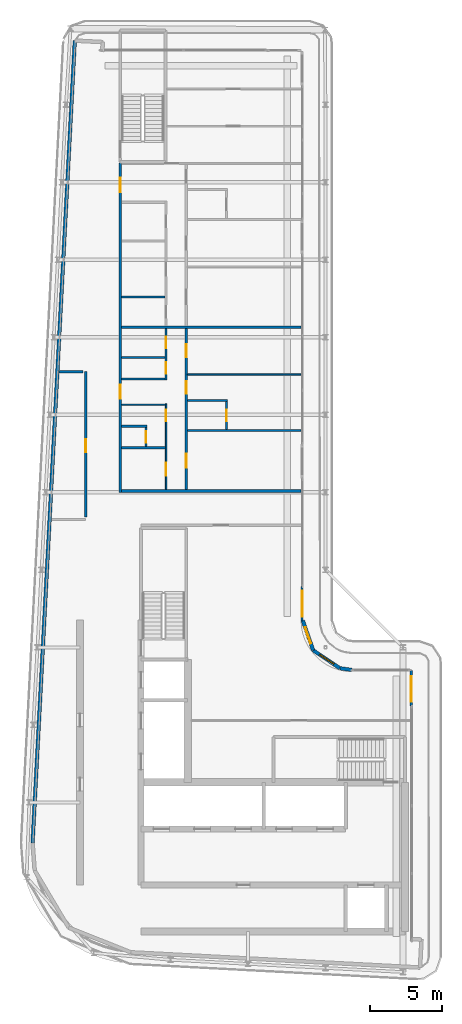
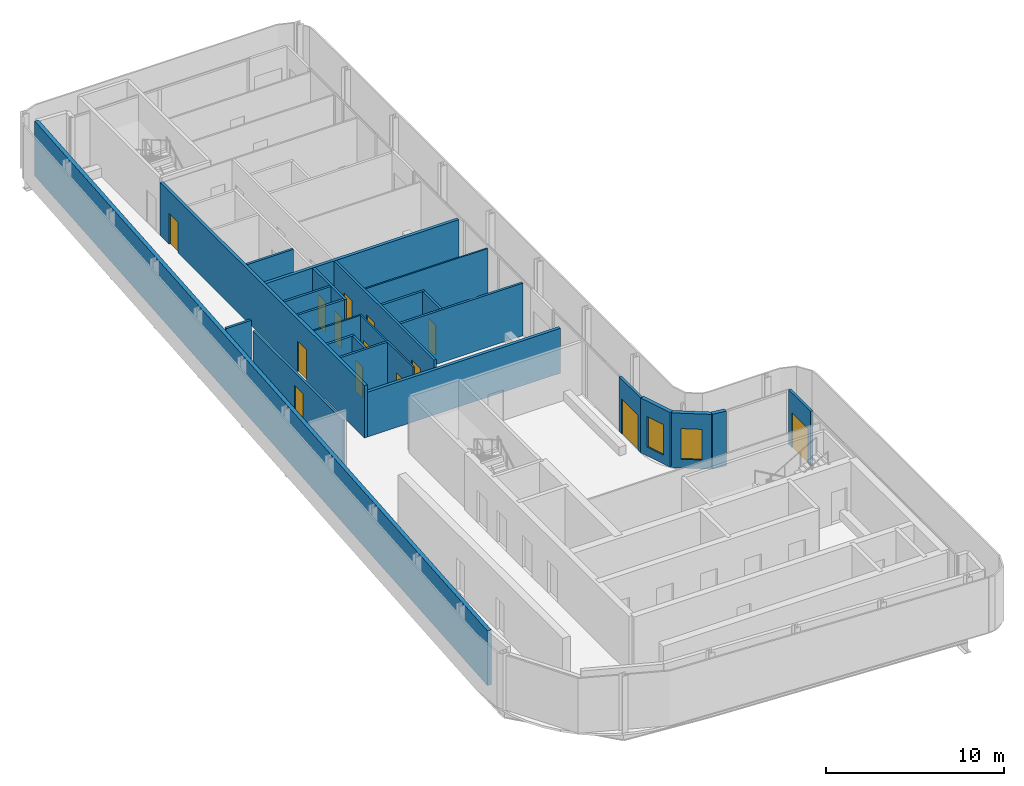
# One storey, part 10 of 17: 25 walls, 14 doors, 2 windows, 16 openings.
"""IFC4 building model written with IfcOpenShell, lengths in metres."""

from ifc_helpers import new_model, si_unit, direction, frame, frame_2d, origin, place, context, subcontext, project, spatial, rectangle, extrude, source, transform, mapped, material, layer, layer_set, type_object, element, fill, save


model = new_model("IFC4")

# Units and contexts
model_context = context("Model", 3, precision=1e-05, world=origin(), true_north=direction((0.0, 1.0)))
body_context = subcontext(model_context, "Body", "Model", "MODEL_VIEW")
ifc_project = project(units=[si_unit("LENGTHUNIT", "METRE"), si_unit("AREAUNIT", "SQUARE_METRE"), si_unit("VOLUMEUNIT", "CUBIC_METRE"), si_unit("PLANEANGLEUNIT", "RADIAN"), si_unit("MASSUNIT", "GRAM", prefix="KILO")], contexts=[model_context])

# Site, building, storey
site_placement = place(None, origin())
site = spatial("IfcSite", under=ifc_project, at=site_placement, CompositionType="ELEMENT")
building_placement = place(site_placement, origin())
building = spatial("IfcBuilding", under=site, at=building_placement, Name="Kheshtan School and Residences Tower", CompositionType="ELEMENT")
storey_placement = place(building_placement, frame((0.0, 0.0, 346.10009765625)))
storey = spatial("IfcBuildingStorey", under=building, at=storey_placement, Name="L81", CompositionType="ELEMENT", Elevation=346.10009765625)

# Wall, openings, doors
ifc_material_1 = material(Name="Gypsum board on steel studs with fire boards", Category="steel")
ifc_layer_1 = layer(ifc_material_1, 0.199951171875)
ifc_layer_set_1 = layer_set([ifc_layer_1], Name="Corridor wall 200")
wall_type_1 = type_object("IfcWallType", Name="Corridor wall 200", PredefinedType="PARTITIONING", material=ifc_layer_set_1)
wall_1_placement = place(storey_placement, frame((33.300048828125, 56.39990234375, 0.0), z_axis=(0.0, 0.0, 1.0), x_axis=(0.0, 1.0, 0.0)))
wall_1 = element("IfcWall", 1, at=wall_1_placement, inside=storey, type_object=wall_type_1, Name="Partition L81-001", PredefinedType="PARTITIONING", context=body_context, shape_type="SweptSolid", body=[
    extrude(rectangle(XDim=22.9501953125, YDim=0.199951171875, at=frame_2d((11.47509765625, 0.0))), origin(), (0.0, 0.0, 1.0), 3.599853515625),
])
opening_1_placement = place(wall_1_placement, frame((6.5, 0.0, 0.0)))
opening_1 = element("IfcOpeningElement", 2, at=opening_1_placement, cuts=wall_1, Name="Opening D81-004", PredefinedType="OPENING", context=body_context, shape_type="SweptSolid", body=[
    extrude(rectangle(XDim=1.0, YDim=2.10009765625, at=frame_2d((0.5, 1.050048828125))), frame((0.0, 0.10986328125, 0.0), z_axis=(0.0, -1.0, 0.0), x_axis=(1.0, 0.0, 0.0)), (0.0, 0.0, 1.0), 0.219970703125),
])
opening_2_placement = place(wall_1_placement, frame((20.89990234375, 0.0, 0.0)))
opening_2 = element("IfcOpeningElement", 3, at=opening_2_placement, cuts=wall_1, Name="Opening D81-014", PredefinedType="OPENING", context=body_context, shape_type="SweptSolid", body=[
    extrude(rectangle(XDim=1.0, YDim=2.10009765625, at=frame_2d((0.5, 1.050048828125))), frame((0.0, 0.10986328125, 0.0), z_axis=(0.0, -1.0, 0.0), x_axis=(1.0, 0.0, 0.0)), (0.0, 0.0, 1.0), 0.219970703125),
])
ifc_material_2 = material(Name="Steel-framed fire-resisting door leaf", Category="steel")
door_type_1 = type_object("IfcDoorType", Name="Fire door FD30S 1000 x 2100", OperationType="SINGLE_SWING_LEFT", PredefinedType="DOOR", material=ifc_material_2)
shared_shape_1 = source(origin(), body_context, "Body", "SweptSolid", [
    extrude(rectangle(XDim=1.0, YDim=2.10009765625, at=frame_2d((0.5, 1.050048828125))), frame((0.0, 0.02490234375, 0.0), z_axis=(0.0, -1.0, 0.0), x_axis=(1.0, 0.0, 0.0)), (0.0, 0.0, 1.0), 0.050048828125),
])
door_1_placement = place(opening_1_placement, origin())
door_1 = element("IfcDoor", 4, at=door_1_placement, inside=storey, type_object=door_type_1, Name="Door D81-004", OperationType="SINGLE_SWING_RIGHT", OverallHeight=2.10009765625, OverallWidth=1.0, PredefinedType="DOOR", context=body_context, shape_type="MappedRepresentation", body=[
    mapped(shared_shape_1, transform((0.0, 0.0, 0.0), x_axis=(1.0, 0.0, 0.0), y_axis=(0.0, 1.0, 0.0), z_axis=(0.0, 0.0, 1.0), scale=1.0)),
])
fill(opening_1, door_1)
door_2_placement = place(opening_2_placement, origin())
door_2 = element("IfcDoor", 5, at=door_2_placement, inside=storey, type_object=door_type_1, Name="Door D81-014", OperationType="SINGLE_SWING_RIGHT", OverallHeight=2.10009765625, OverallWidth=1.0, PredefinedType="DOOR", context=body_context, shape_type="MappedRepresentation", body=[
    mapped(shared_shape_1, transform((0.0, 0.0, 0.0), x_axis=(1.0, 0.0, 0.0), y_axis=(0.0, 1.0, 0.0), z_axis=(0.0, 0.0, 1.0), scale=1.0)),
])
fill(opening_2, door_2)

# Wall
wall_2_placement = place(storey_placement, frame((33.39990234375, 56.5, 0.0), z_axis=(0.0, 0.0, 1.0), x_axis=(1.0, 0.0, 0.0)))
element("IfcWall", 6, at=wall_2_placement, inside=storey, type_object=wall_type_1, Name="Partition L81-002", PredefinedType="PARTITIONING", context=body_context, shape_type="SweptSolid", body=[
    extrude(rectangle(XDim=12.5, YDim=0.199951171875, at=frame_2d((6.25, 0.0))), origin(), (0.0, 0.0, 1.0), 3.072021484375),
])

# Wall, opening, window
ifc_material_3 = material(Name="Concrete C40/50 with ceramic cladding and mineral wool insulation", Category="concrete")
ifc_layer_2 = layer(ifc_material_3, 0.25)
ifc_layer_set_2 = layer_set([ifc_layer_2], Name="External wall 250 ceramic clad")
wall_type_2 = type_object("IfcWallType", Name="External wall 250 ceramic clad", PredefinedType="SOLIDWALL", material=ifc_layer_set_2)
wall_3_placement = place(storey_placement, frame((46.01806640625, 47.470947265625, 0.0), z_axis=(0.0, 0.0, 1.0), x_axis=(0.328791208903, -0.944402637093, 0.0)))
wall_3 = element("IfcWall", 7, at=wall_3_placement, inside=storey, type_object=wall_type_2, Name="External wall L81 5", PredefinedType="SOLIDWALL", context=body_context, shape_type="SweptSolid", body=[
    extrude(rectangle(XDim=2.20458984375, YDim=0.25, at=frame_2d((1.102294921875, 0.0))), origin(), (0.0, 0.0, 1.0), 3.75),
])
opening_3_placement = place(wall_3_placement, frame((0.5029296875, 0.0, 0.60009765625)))
opening_3 = element("IfcOpeningElement", 8, at=opening_3_placement, cuts=wall_3, Name="Opening WN-E", PredefinedType="OPENING", context=body_context, shape_type="SweptSolid", body=[
    extrude(rectangle(XDim=1.199951171875, YDim=2.10009765625, at=frame_2d((0.60009765625, 1.050048828125))), frame((0.0, 0.135009765625, 0.0), z_axis=(0.0, -1.0, 0.0), x_axis=(1.0, 0.0, 0.0)), (0.0, 0.0, 1.0), 0.27001953125),
])
ifc_material_4 = material(Name="Clear low-e glass in thermally broken aluminium frame", Category="aluminium")
window_type = type_object("IfcWindowType", Name="Window WN-E", PartitioningType="SINGLE_PANEL", PredefinedType="WINDOW", material=ifc_material_4)
shared_shape_2 = source(origin(), body_context, "Body", "SweptSolid", [
    extrude(rectangle(XDim=1.199951171875, YDim=2.10009765625, at=frame_2d((0.60009765625, 1.050048828125))), frame((0.0, 0.030029296875, 0.0), z_axis=(0.0, -1.0, 0.0), x_axis=(1.0, 0.0, 0.0)), (0.0, 0.0, 1.0), 0.06005859375),
])
window_1_placement = place(opening_3_placement, origin())
window_1 = element("IfcWindow", 9, at=window_1_placement, inside=storey, type_object=window_type, Name="Window L81 5", OverallHeight=2.10009765625, OverallWidth=1.199951171875, PartitioningType="SINGLE_PANEL", PredefinedType="WINDOW", context=body_context, shape_type="MappedRepresentation", body=[
    mapped(shared_shape_2, transform((0.0, 0.0, 0.0), x_axis=(1.0, 0.0, 0.0), y_axis=(0.0, 1.0, 0.0), z_axis=(0.0, 0.0, 1.0), scale=1.0)),
])
fill(opening_3, window_1)

wall_4_placement = place(storey_placement, frame((46.742919921875, 45.388916015625, 0.0), z_axis=(0.0, 0.0, 1.0), x_axis=(0.831449265529, -0.555600682912, 0.0)))
wall_4 = element("IfcWall", 10, at=wall_4_placement, inside=storey, type_object=wall_type_2, Name="External wall L81 6", PredefinedType="SOLIDWALL", context=body_context, shape_type="SweptSolid", body=[
    extrude(rectangle(XDim=2.25146484375, YDim=0.25, at=frame_2d((1.125732421875, 0.0))), origin(), (0.0, 0.0, 1.0), 3.75),
])
opening_4_placement = place(wall_4_placement, frame((0.52490234375, 0.0, 0.60009765625)))
opening_4 = element("IfcOpeningElement", 11, at=opening_4_placement, cuts=wall_4, Name="Opening WN-E", PredefinedType="OPENING", context=body_context, shape_type="SweptSolid", body=[
    extrude(rectangle(XDim=1.199951171875, YDim=2.10009765625, at=frame_2d((0.60009765625, 1.050048828125))), frame((0.0, 0.135009765625, 0.0), z_axis=(0.0, -1.0, 0.0), x_axis=(1.0, 0.0, 0.0)), (0.0, 0.0, 1.0), 0.27001953125),
])
window_2_placement = place(opening_4_placement, origin())
window_2 = element("IfcWindow", 12, at=window_2_placement, inside=storey, type_object=window_type, Name="Window L81 6", OverallHeight=2.10009765625, OverallWidth=1.199951171875, PartitioningType="SINGLE_PANEL", PredefinedType="WINDOW", context=body_context, shape_type="MappedRepresentation", body=[
    mapped(shared_shape_2, transform((0.0, 0.0, 0.0), x_axis=(1.0, 0.0, 0.0), y_axis=(0.0, 1.0, 0.0), z_axis=(0.0, 0.0, 1.0), scale=1.0)),
])
fill(opening_4, window_2)

# Walls
wall_5_placement = place(storey_placement, frame((48.614990234375, 44.137939453125, 0.0), z_axis=(0.0, 0.0, 1.0), x_axis=(0.990741504246, -0.135761819977, 0.0)))
element("IfcWall", 13, at=wall_5_placement, inside=storey, type_object=wall_type_2, Name="External wall L81 7", PredefinedType="SOLIDWALL", context=body_context, shape_type="SweptSolid", body=[
    extrude(rectangle(XDim=0.83984375, YDim=0.25, at=frame_2d((0.419921875, 0.0))), origin(), (0.0, 0.0, 1.0), 3.75),
])
wall_6_placement = place(storey_placement, frame((27.195068359375, 31.968994140625, 0.0), z_axis=(0.0, 0.0, 1.0), x_axis=(0.052559748861, 0.998617781135, 0.0)))
element("IfcWall", 14, at=wall_6_placement, inside=storey, type_object=wall_type_2, Name="External wall L81 16", PredefinedType="SOLIDWALL", context=body_context, shape_type="SweptSolid", body=[
    extrude(rectangle(XDim=55.972412109375, YDim=0.25, at=frame_2d((27.986328125, 0.0))), origin(), (0.0, 0.0, 1.0), 3.75),
])

# Wall, opening, door
ifc_material_5 = material(Name="Aluminium frame wall with insulated infill", Category="aluminium")
ifc_layer_3 = layer(ifc_material_5, 0.14990234375)
ifc_layer_set_3 = layer_set([ifc_layer_3], Name="Glazing frame wall 150")
wall_type_3 = type_object("IfcWallType", Name="Glazing frame wall 150", PredefinedType="SOLIDWALL", material=ifc_layer_set_3)
wall_7_placement = place(storey_placement, frame((45.97509765625, 49.830078125, 0.0), z_axis=(0.0, 0.0, 1.0), x_axis=(0.0, -1.0, 0.0)))
wall_7 = element("IfcWall", 15, at=wall_7_placement, inside=storey, type_object=wall_type_3, Name="Balcony door wall L81 4.4", PredefinedType="SOLIDWALL", context=body_context, shape_type="SweptSolid", body=[
    extrude(rectangle(XDim=2.400146484375, YDim=0.14990234375, at=frame_2d((1.2001953125, 0.0))), origin(), (0.0, 0.0, 1.0), 3.75),
])
opening_5_placement = place(wall_7_placement, frame((0.300048828125, 0.0, 0.0)))
opening_5 = element("IfcOpeningElement", 16, at=opening_5_placement, cuts=wall_7, Name="Opening BD", PredefinedType="OPENING", context=body_context, shape_type="SweptSolid", body=[
    extrude(rectangle(XDim=1.800048828125, YDim=2.39990234375, at=frame_2d((0.89990234375, 1.199951171875))), frame((0.0, 0.0849609375, 0.0), z_axis=(0.0, -1.0, 0.0), x_axis=(1.0, 0.0, 0.0)), (0.0, 0.0, 1.0), 0.169921875),
])
door_type_2 = type_object("IfcDoorType", Name="Balcony sliding door", OperationType="SLIDING_TO_LEFT", PredefinedType="DOOR", material=ifc_material_4)
shared_shape_3 = source(origin(), body_context, "Body", "SweptSolid", [
    extrude(rectangle(XDim=1.800048828125, YDim=2.39990234375, at=frame_2d((0.89990234375, 1.199951171875))), frame((0.0, 0.02490234375, 0.0), z_axis=(0.0, -1.0, 0.0), x_axis=(1.0, 0.0, 0.0)), (0.0, 0.0, 1.0), 0.050048828125),
])
door_3_placement = place(opening_5_placement, origin())
door_3 = element("IfcDoor", 17, at=door_3_placement, inside=storey, type_object=door_type_2, Name="Balcony door L81 4.4", OperationType="SLIDING_TO_LEFT", OverallHeight=2.39990234375, OverallWidth=1.800048828125, PredefinedType="DOOR", context=body_context, shape_type="MappedRepresentation", body=[
    mapped(shared_shape_3, transform((0.0, 0.0, 0.0), x_axis=(1.0, 0.0, 0.0), y_axis=(0.0, 1.0, 0.0), z_axis=(0.0, 0.0, 1.0), scale=1.0)),
])
fill(opening_5, door_3)

wall_8_placement = place(storey_placement, frame((53.574951171875, 43.970947265625, 0.0), z_axis=(0.0, 0.0, 1.0), x_axis=(0.0, -1.0, 0.0)))
wall_8 = element("IfcWall", 18, at=wall_8_placement, inside=storey, type_object=wall_type_3, Name="Balcony door wall L81 9.1", PredefinedType="SOLIDWALL", context=body_context, shape_type="SweptSolid", body=[
    extrude(rectangle(XDim=2.470947265625, YDim=0.14990234375, at=frame_2d((1.2353515625, 0.0))), origin(), (0.0, 0.0, 1.0), 3.75),
])
opening_6_placement = place(wall_8_placement, frame((0.37109375, 0.0, 0.0)))
opening_6 = element("IfcOpeningElement", 19, at=opening_6_placement, cuts=wall_8, Name="Opening BD", PredefinedType="OPENING", context=body_context, shape_type="SweptSolid", body=[
    extrude(rectangle(XDim=1.800048828125, YDim=2.39990234375, at=frame_2d((0.89990234375, 1.199951171875))), frame((0.0, 0.0849609375, 0.0), z_axis=(0.0, -1.0, 0.0), x_axis=(1.0, 0.0, 0.0)), (0.0, 0.0, 1.0), 0.169921875),
])
door_4_placement = place(opening_6_placement, origin())
door_4 = element("IfcDoor", 20, at=door_4_placement, inside=storey, type_object=door_type_2, Name="Balcony door L81 9.1", OperationType="SLIDING_TO_LEFT", OverallHeight=2.39990234375, OverallWidth=1.800048828125, PredefinedType="DOOR", context=body_context, shape_type="MappedRepresentation", body=[
    mapped(shared_shape_3, transform((0.0, 0.0, 0.0), x_axis=(1.0, 0.0, 0.0), y_axis=(0.0, 1.0, 0.0), z_axis=(0.0, 0.0, 1.0), scale=1.0)),
])
fill(opening_6, door_4)

# Wall
ifc_material_6 = material(Name="Gypsum board on steel studs", Category="steel")
ifc_layer_4 = layer(ifc_material_6, 0.10009765625)
ifc_layer_set_4 = layer_set([ifc_layer_4], Name="Gypsum partition 100")
wall_type_4 = type_object("IfcWallType", Name="Gypsum partition 100", PredefinedType="PARTITIONING", material=ifc_layer_set_4)
wall_9_placement = place(storey_placement, frame((33.39990234375, 62.5, 0.0), z_axis=(0.0, 0.0, 1.0), x_axis=(1.0, 0.0, 0.0)))
element("IfcWall", 21, at=wall_9_placement, inside=storey, type_object=wall_type_4, Name="Partition L81-005", PredefinedType="PARTITIONING", context=body_context, shape_type="SweptSolid", body=[
    extrude(rectangle(XDim=3.050048828125, YDim=0.10009765625, at=frame_2d((1.52490234375, 0.0))), origin(), (0.0, 0.0, 1.0), 3.599853515625),
])

# Wall, openings, doors
wall_10_placement = place(storey_placement, frame((36.5, 56.60009765625, 0.0), z_axis=(0.0, 0.0, 1.0), x_axis=(0.0, 1.0, 0.0)))
wall_10 = element("IfcWall", 22, at=wall_10_placement, inside=storey, type_object=wall_type_4, Name="Partition L81-015", PredefinedType="PARTITIONING", context=body_context, shape_type="SweptSolid", body=[
    extrude(rectangle(XDim=5.949951171875, YDim=0.10009765625, at=frame_2d((2.97509765625, 0.0))), origin(), (0.0, 0.0, 1.0), 3.599853515625),
])
opening_7_placement = place(wall_10_placement, frame((0.949951171875, 0.0, 0.0)))
opening_7 = element("IfcOpeningElement", 23, at=opening_7_placement, cuts=wall_10, Name="Opening D81-005", PredefinedType="OPENING", context=body_context, shape_type="SweptSolid", body=[
    extrude(rectangle(XDim=0.89990234375, YDim=2.10009765625, at=frame_2d((0.449951171875, 1.050048828125))), frame((0.0, 0.06005859375, 0.0), z_axis=(0.0, -1.0, 0.0), x_axis=(1.0, 0.0, 0.0)), (0.0, 0.0, 1.0), 0.1201171875),
])
opening_8_placement = place(wall_10_placement, frame((4.75, 0.0, 0.0)))
opening_8 = element("IfcOpeningElement", 24, at=opening_8_placement, cuts=wall_10, Name="Opening D81-007", PredefinedType="OPENING", context=body_context, shape_type="SweptSolid", body=[
    extrude(rectangle(XDim=0.800048828125, YDim=2.10009765625, at=frame_2d((0.39990234375, 1.050048828125))), frame((0.0, 0.06005859375, 0.0), z_axis=(0.0, -1.0, 0.0), x_axis=(1.0, 0.0, 0.0)), (0.0, 0.0, 1.0), 0.1201171875),
])
ifc_material_7 = material(Name="Veneered timber door leaf", Category="wood")
door_type_3 = type_object("IfcDoorType", Name="Door 800 x 2100", OperationType="SINGLE_SWING_LEFT", PredefinedType="DOOR", material=ifc_material_7)
shared_shape_4 = source(origin(), body_context, "Body", "SweptSolid", [
    extrude(rectangle(XDim=0.800048828125, YDim=2.10009765625, at=frame_2d((0.39990234375, 1.050048828125))), frame((0.0, 0.02490234375, 0.0), z_axis=(0.0, -1.0, 0.0), x_axis=(1.0, 0.0, 0.0)), (0.0, 0.0, 1.0), 0.050048828125),
])
door_5_placement = place(opening_8_placement, origin())
door_5 = element("IfcDoor", 25, at=door_5_placement, inside=storey, type_object=door_type_3, Name="Door D81-007", OperationType="SINGLE_SWING_RIGHT", OverallHeight=2.10009765625, OverallWidth=0.800048828125, PredefinedType="DOOR", context=body_context, shape_type="MappedRepresentation", body=[
    mapped(shared_shape_4, transform((0.0, 0.0, 0.0), x_axis=(1.0, 0.0, 0.0), y_axis=(0.0, 1.0, 0.0), z_axis=(0.0, 0.0, 1.0), scale=1.0)),
])
fill(opening_8, door_5)
door_type_4 = type_object("IfcDoorType", Name="Door 900 x 2100", OperationType="SINGLE_SWING_LEFT", PredefinedType="DOOR", material=ifc_material_7)
shared_shape_5 = source(origin(), body_context, "Body", "SweptSolid", [
    extrude(rectangle(XDim=0.89990234375, YDim=2.10009765625, at=frame_2d((0.449951171875, 1.050048828125))), frame((0.0, 0.02490234375, 0.0), z_axis=(0.0, -1.0, 0.0), x_axis=(1.0, 0.0, 0.0)), (0.0, 0.0, 1.0), 0.050048828125),
])
door_6_placement = place(opening_7_placement, origin())
door_6 = element("IfcDoor", 26, at=door_6_placement, inside=storey, type_object=door_type_4, Name="Door D81-005", OperationType="SINGLE_SWING_RIGHT", OverallHeight=2.10009765625, OverallWidth=0.89990234375, PredefinedType="DOOR", context=body_context, shape_type="MappedRepresentation", body=[
    mapped(shared_shape_5, transform((0.0, 0.0, 0.0), x_axis=(1.0, 0.0, 0.0), y_axis=(0.0, 1.0, 0.0), z_axis=(0.0, 0.0, 1.0), scale=1.0)),
])
fill(opening_7, door_6)

# Wall
wall_11_placement = place(storey_placement, frame((37.97509765625, 64.60009765625, 0.0), z_axis=(0.0, 0.0, 1.0), x_axis=(1.0, 0.0, 0.0)))
element("IfcWall", 27, at=wall_11_placement, inside=storey, type_object=wall_type_4, Name="Partition L81-024", PredefinedType="PARTITIONING", context=body_context, shape_type="SweptSolid", body=[
    extrude(rectangle(XDim=7.9248046875, YDim=0.10009765625, at=frame_2d((3.96240234375, 0.0))), origin(), (0.0, 0.0, 1.0), 3.599853515625),
])

# Wall, opening, door
ifc_material_8 = material(Name="Fire-board shaft wall system")
ifc_layer_5 = layer(ifc_material_8, 0.14990234375)
ifc_layer_set_5 = layer_set([ifc_layer_5], Name="Service room wall 150")
wall_type_5 = type_object("IfcWallType", Name="Service room wall 150", PredefinedType="PARTITIONING", material=ifc_layer_set_5)
wall_12_placement = place(storey_placement, frame((30.89990234375, 54.695068359375, 0.0), z_axis=(0.0, 0.0, 1.0), x_axis=(0.0, 1.0, 0.0)))
wall_12 = element("IfcWall", 28, at=wall_12_placement, inside=storey, type_object=wall_type_5, Name="Service room wall", PredefinedType="PARTITIONING", context=body_context, shape_type="SweptSolid", body=[
    extrude(rectangle(XDim=10.10498046875, YDim=0.14990234375, at=frame_2d((5.052490234375, 0.0))), origin(), (0.0, 0.0, 1.0), 3.072021484375),
])
opening_9_placement = place(wall_12_placement, frame((4.5048828125, 0.0, 0.0)))
opening_9 = element("IfcOpeningElement", 29, at=opening_9_placement, cuts=wall_12, Name="Opening SR90", PredefinedType="OPENING", context=body_context, shape_type="SweptSolid", body=[
    extrude(rectangle(XDim=0.89990234375, YDim=2.199951171875, at=frame_2d((0.449951171875, 1.10009765625))), frame((0.0, 0.0849609375, 0.0), z_axis=(0.0, -1.0, 0.0), x_axis=(1.0, 0.0, 0.0)), (0.0, 0.0, 1.0), 0.169921875),
])
ifc_material_9 = material(Name="Steel door leaf, galvanised", Category="steel")
door_type_5 = type_object("IfcDoorType", Name="Service room door 900 steel 90 min", OperationType="SINGLE_SWING_LEFT", PredefinedType="DOOR", material=ifc_material_9)
shared_shape_6 = source(origin(), body_context, "Body", "SweptSolid", [
    extrude(rectangle(XDim=0.89990234375, YDim=2.199951171875, at=frame_2d((0.449951171875, 1.10009765625))), frame((0.0, 0.02490234375, 0.0), z_axis=(0.0, -1.0, 0.0), x_axis=(1.0, 0.0, 0.0)), (0.0, 0.0, 1.0), 0.050048828125),
])
door_7_placement = place(opening_9_placement, origin())
door_7 = element("IfcDoor", 30, at=door_7_placement, inside=storey, type_object=door_type_5, Name="Service room door", OperationType="SINGLE_SWING_LEFT", OverallHeight=2.199951171875, OverallWidth=0.89990234375, PredefinedType="DOOR", context=body_context, shape_type="MappedRepresentation", body=[
    mapped(shared_shape_6, transform((0.0, 0.0, 0.0), x_axis=(1.0, 0.0, 0.0), y_axis=(0.0, 1.0, 0.0), z_axis=(0.0, 0.0, 1.0), scale=1.0)),
])
fill(opening_9, door_7)

# Walls
wall_13_placement = place(storey_placement, frame((29.051025390625, 64.800048828125, 0.0), z_axis=(0.0, 0.0, 1.0), x_axis=(1.0, 0.0, 0.0)))
element("IfcWall", 31, at=wall_13_placement, inside=storey, type_object=wall_type_5, Name="Service room wall", PredefinedType="PARTITIONING", context=body_context, shape_type="SweptSolid", body=[
    extrude(rectangle(XDim=1.654052734375, YDim=0.14990234375, at=frame_2d((0.8271484375, 0.0))), origin(), (0.0, 0.0, 1.0), 3.89990234375),
])
ifc_material_10 = material(Name="Twin gypsum board on steel studs with mineral wool", Category="steel")
ifc_layer_6 = layer(ifc_material_10, 0.199951171875)
ifc_layer_set_6 = layer_set([ifc_layer_6], Name="Unit demising wall 200")
wall_type_6 = type_object("IfcWallType", Name="Unit demising wall 200", PredefinedType="PARTITIONING", material=ifc_layer_set_6)
wall_14_placement = place(storey_placement, frame((33.39990234375, 67.89990234375, 0.0), z_axis=(0.0, 0.0, 1.0), x_axis=(1.0, 0.0, 0.0)))
element("IfcWall", 32, at=wall_14_placement, inside=storey, type_object=wall_type_6, Name="Partition L81-008", PredefinedType="PARTITIONING", context=body_context, shape_type="SweptSolid", body=[
    extrude(rectangle(XDim=12.5, YDim=0.199951171875, at=frame_2d((6.25, 0.0))), origin(), (0.0, 0.0, 1.0), 3.599853515625),
])
ifc_material_11 = material(Name="Moisture-resistant gypsum board on steel studs", Category="steel")
ifc_layer_7 = layer(ifc_material_11, 0.14990234375)
ifc_layer_set_7 = layer_set([ifc_layer_7], Name="Wet-room partition 150")
wall_type_7 = type_object("IfcWallType", Name="Wet-room partition 150", PredefinedType="PARTITIONING", material=ifc_layer_set_7)
wall_15_placement = place(storey_placement, frame((33.39990234375, 59.5, 0.0), z_axis=(0.0, 0.0, 1.0), x_axis=(1.0, 0.0, 0.0)))
element("IfcWall", 33, at=wall_15_placement, inside=storey, type_object=wall_type_7, Name="Partition L81-003", PredefinedType="PARTITIONING", context=body_context, shape_type="SweptSolid", body=[
    extrude(rectangle(XDim=3.050048828125, YDim=0.14990234375, at=frame_2d((1.52490234375, 0.0))), origin(), (0.0, 0.0, 1.0), 3.599853515625),
])
wall_16_placement = place(storey_placement, frame((33.39990234375, 61.0, 0.0), z_axis=(0.0, 0.0, 1.0), x_axis=(1.0, 0.0, 0.0)))
element("IfcWall", 34, at=wall_16_placement, inside=storey, type_object=wall_type_7, Name="Partition L81-004", PredefinedType="PARTITIONING", context=body_context, shape_type="SweptSolid", body=[
    extrude(rectangle(XDim=1.775146484375, YDim=0.14990234375, at=frame_2d((0.8876953125, 0.0))), origin(), (0.0, 0.0, 1.0), 3.599853515625),
])
for number, where, z_axis, x_axis, name in (
    (35, (33.39990234375, 64.300048828125, 0.0), (0.0, 0.0, 1.0), (1.0, 0.0, 0.0), "Partition L81-006"),
    (36, (33.39990234375, 65.800048828125, 0.0), (0.0, 0.0, 1.0), (1.0, 0.0, 0.0), "Partition L81-007"),
    (37, (33.39990234375, 70.0, 0.0), (0.0, 0.0, 1.0), (1.0, 0.0, 0.0), "Partition L81-009"),
):
    element("IfcWall", number, at=place(storey_placement, frame(where, z_axis=z_axis, x_axis=x_axis)), inside=storey, type_object=wall_type_7, Name=name, PredefinedType="PARTITIONING", context=body_context, shape_type="SweptSolid", body=[
        extrude(rectangle(XDim=3.025146484375, YDim=0.14990234375, at=frame_2d((1.5126953125, 0.0))), origin(), (0.0, 0.0, 1.0), 3.599853515625),
    ])

# Wall, opening, door
wall_17_placement = place(storey_placement, frame((35.10009765625, 59.574951171875, 0.0), z_axis=(0.0, 0.0, 1.0), x_axis=(0.0, 1.0, 0.0)))
wall_17 = element("IfcWall", 38, at=wall_17_placement, inside=storey, type_object=wall_type_7, Name="Partition L81-014", PredefinedType="PARTITIONING", context=body_context, shape_type="SweptSolid", body=[
    extrude(rectangle(XDim=1.35009765625, YDim=0.14990234375, at=frame_2d((0.675048828125, 0.0))), origin(), (0.0, 0.0, 1.0), 3.599853515625),
])
opening_10_placement = place(wall_17_placement, frame((0.27490234375, 0.0, 0.0)))
opening_10 = element("IfcOpeningElement", 39, at=opening_10_placement, cuts=wall_17, Name="Opening D81-008", PredefinedType="OPENING", context=body_context, shape_type="SweptSolid", body=[
    extrude(rectangle(XDim=0.800048828125, YDim=2.10009765625, at=frame_2d((0.39990234375, 1.050048828125))), frame((0.0, 0.0849609375, 0.0), z_axis=(0.0, -1.0, 0.0), x_axis=(1.0, 0.0, 0.0)), (0.0, 0.0, 1.0), 0.169921875),
])
door_8_placement = place(opening_10_placement, origin())
door_8 = element("IfcDoor", 40, at=door_8_placement, inside=storey, type_object=door_type_3, Name="Door D81-008", OperationType="SINGLE_SWING_LEFT", OverallHeight=2.10009765625, OverallWidth=0.800048828125, PredefinedType="DOOR", context=body_context, shape_type="MappedRepresentation", body=[
    mapped(shared_shape_4, transform((0.0, 0.0, 0.0), x_axis=(1.0, 0.0, 0.0), y_axis=(0.0, 1.0, 0.0), z_axis=(0.0, 0.0, 1.0), scale=1.0)),
])
fill(opening_10, door_8)

# Wall, openings, doors
wall_18_placement = place(storey_placement, frame((36.5, 64.22509765625, 0.0), z_axis=(0.0, 0.0, 1.0), x_axis=(0.0, 1.0, 0.0)))
wall_18 = element("IfcWall", 41, at=wall_18_placement, inside=storey, type_object=wall_type_7, Name="Partition L81-016", PredefinedType="PARTITIONING", context=body_context, shape_type="SweptSolid", body=[
    extrude(rectangle(XDim=3.574951171875, YDim=0.14990234375, at=frame_2d((1.78759765625, 0.0))), origin(), (0.0, 0.0, 1.0), 3.599853515625),
])
opening_11_placement = place(wall_18_placement, frame((2.22509765625, 0.0, 0.0)))
opening_11 = element("IfcOpeningElement", 42, at=opening_11_placement, cuts=wall_18, Name="Opening D81-001", PredefinedType="OPENING", context=body_context, shape_type="SweptSolid", body=[
    extrude(rectangle(XDim=0.800048828125, YDim=2.10009765625, at=frame_2d((0.39990234375, 1.050048828125))), frame((0.0, 0.0849609375, 0.0), z_axis=(0.0, -1.0, 0.0), x_axis=(1.0, 0.0, 0.0)), (0.0, 0.0, 1.0), 0.169921875),
])
opening_12_placement = place(wall_18_placement, frame((0.425048828125, 0.0, 0.0)))
opening_12 = element("IfcOpeningElement", 43, at=opening_12_placement, cuts=wall_18, Name="Opening D81-010", PredefinedType="OPENING", context=body_context, shape_type="SweptSolid", body=[
    extrude(rectangle(XDim=0.800048828125, YDim=2.10009765625, at=frame_2d((0.39990234375, 1.050048828125))), frame((0.0, 0.0849609375, 0.0), z_axis=(0.0, -1.0, 0.0), x_axis=(1.0, 0.0, 0.0)), (0.0, 0.0, 1.0), 0.169921875),
])
door_9_placement = place(opening_11_placement, origin())
door_9 = element("IfcDoor", 44, at=door_9_placement, inside=storey, type_object=door_type_3, Name="Door D81-001", OperationType="SINGLE_SWING_RIGHT", OverallHeight=2.10009765625, OverallWidth=0.800048828125, PredefinedType="DOOR", context=body_context, shape_type="MappedRepresentation", body=[
    mapped(shared_shape_4, transform((0.0, 0.0, 0.0), x_axis=(1.0, 0.0, 0.0), y_axis=(0.0, 1.0, 0.0), z_axis=(0.0, 0.0, 1.0), scale=1.0)),
])
fill(opening_11, door_9)
door_10_placement = place(opening_12_placement, origin())
door_10 = element("IfcDoor", 45, at=door_10_placement, inside=storey, type_object=door_type_3, Name="Door D81-010", OperationType="SINGLE_SWING_RIGHT", OverallHeight=2.10009765625, OverallWidth=0.800048828125, PredefinedType="DOOR", context=body_context, shape_type="MappedRepresentation", body=[
    mapped(shared_shape_4, transform((0.0, 0.0, 0.0), x_axis=(1.0, 0.0, 0.0), y_axis=(0.0, 1.0, 0.0), z_axis=(0.0, 0.0, 1.0), scale=1.0)),
])
fill(opening_12, door_10)

wall_19_placement = place(storey_placement, frame((37.89990234375, 56.60009765625, 0.0), z_axis=(0.0, 0.0, 1.0), x_axis=(0.0, 1.0, 0.0)))
wall_19 = element("IfcWall", 46, at=wall_19_placement, inside=storey, type_object=wall_type_7, Name="Partition L81-020", PredefinedType="PARTITIONING", context=body_context, shape_type="SweptSolid", body=[
    extrude(rectangle(XDim=11.199951171875, YDim=0.14990234375, at=frame_2d((5.60009765625, 0.0))), origin(), (0.0, 0.0, 1.0), 3.599853515625),
])
opening_13_placement = place(wall_19_placement, frame((9.199951171875, 0.0, 0.0)))
opening_13 = element("IfcOpeningElement", 47, at=opening_13_placement, cuts=wall_19, Name="Opening D81-002", PredefinedType="OPENING", context=body_context, shape_type="SweptSolid", body=[
    extrude(rectangle(XDim=0.89990234375, YDim=2.10009765625, at=frame_2d((0.449951171875, 1.050048828125))), frame((0.0, 0.0849609375, 0.0), z_axis=(0.0, -1.0, 0.0), x_axis=(1.0, 0.0, 0.0)), (0.0, 0.0, 1.0), 0.169921875),
])
opening_14_placement = place(wall_19_placement, frame((1.5, 0.0, 0.0)))
opening_14 = element("IfcOpeningElement", 48, at=opening_14_placement, cuts=wall_19, Name="Opening D81-006", PredefinedType="OPENING", context=body_context, shape_type="SweptSolid", body=[
    extrude(rectangle(XDim=1.0, YDim=2.10009765625, at=frame_2d((0.5, 1.050048828125))), frame((0.0, 0.0849609375, 0.0), z_axis=(0.0, -1.0, 0.0), x_axis=(1.0, 0.0, 0.0)), (0.0, 0.0, 1.0), 0.169921875),
])
opening_15_placement = place(wall_19_placement, frame((6.64990234375, 0.0, 0.0)))
opening_15 = element("IfcOpeningElement", 49, at=opening_15_placement, cuts=wall_19, Name="Opening D81-009", PredefinedType="OPENING", context=body_context, shape_type="SweptSolid", body=[
    extrude(rectangle(XDim=0.89990234375, YDim=2.10009765625, at=frame_2d((0.449951171875, 1.050048828125))), frame((0.0, 0.0849609375, 0.0), z_axis=(0.0, -1.0, 0.0), x_axis=(1.0, 0.0, 0.0)), (0.0, 0.0, 1.0), 0.169921875),
])
door_type_6 = type_object("IfcDoorType", Name="Door 1000 x 2100", OperationType="SINGLE_SWING_LEFT", PredefinedType="DOOR", material=ifc_material_7)
shared_shape_7 = source(origin(), body_context, "Body", "SweptSolid", [
    extrude(rectangle(XDim=1.0, YDim=2.10009765625, at=frame_2d((0.5, 1.050048828125))), frame((0.0, 0.02490234375, 0.0), z_axis=(0.0, -1.0, 0.0), x_axis=(1.0, 0.0, 0.0)), (0.0, 0.0, 1.0), 0.050048828125),
])
door_11_placement = place(opening_14_placement, origin())
door_11 = element("IfcDoor", 50, at=door_11_placement, inside=storey, type_object=door_type_6, Name="Door D81-006", OperationType="SINGLE_SWING_LEFT", OverallHeight=2.10009765625, OverallWidth=1.0, PredefinedType="DOOR", context=body_context, shape_type="MappedRepresentation", body=[
    mapped(shared_shape_7, transform((0.0, 0.0, 0.0), x_axis=(1.0, 0.0, 0.0), y_axis=(0.0, 1.0, 0.0), z_axis=(0.0, 0.0, 1.0), scale=1.0)),
])
fill(opening_14, door_11)
door_12_placement = place(opening_13_placement, origin())
door_12 = element("IfcDoor", 51, at=door_12_placement, inside=storey, type_object=door_type_4, Name="Door D81-002", OperationType="SINGLE_SWING_RIGHT", OverallHeight=2.10009765625, OverallWidth=0.89990234375, PredefinedType="DOOR", context=body_context, shape_type="MappedRepresentation", body=[
    mapped(shared_shape_5, transform((0.0, 0.0, 0.0), x_axis=(1.0, 0.0, 0.0), y_axis=(0.0, 1.0, 0.0), z_axis=(0.0, 0.0, 1.0), scale=1.0)),
])
fill(opening_13, door_12)
door_13_placement = place(opening_15_placement, origin())
door_13 = element("IfcDoor", 52, at=door_13_placement, inside=storey, type_object=door_type_4, Name="Door D81-009", OperationType="SINGLE_SWING_RIGHT", OverallHeight=2.10009765625, OverallWidth=0.89990234375, PredefinedType="DOOR", context=body_context, shape_type="MappedRepresentation", body=[
    mapped(shared_shape_5, transform((0.0, 0.0, 0.0), x_axis=(1.0, 0.0, 0.0), y_axis=(0.0, 1.0, 0.0), z_axis=(0.0, 0.0, 1.0), scale=1.0)),
])
fill(opening_15, door_13)

# Walls
wall_20_placement = place(storey_placement, frame((37.97509765625, 60.699951171875, 0.0), z_axis=(0.0, 0.0, 1.0), x_axis=(1.0, 0.0, 0.0)))
element("IfcWall", 53, at=wall_20_placement, inside=storey, type_object=wall_type_7, Name="Partition L81-022", PredefinedType="PARTITIONING", context=body_context, shape_type="SweptSolid", body=[
    extrude(rectangle(XDim=7.9248046875, YDim=0.14990234375, at=frame_2d((3.96240234375, 0.0))), origin(), (0.0, 0.0, 1.0), 3.599853515625),
])
wall_21_placement = place(storey_placement, frame((37.97509765625, 62.800048828125, 0.0), z_axis=(0.0, 0.0, 1.0), x_axis=(1.0, 0.0, 0.0)))
element("IfcWall", 54, at=wall_21_placement, inside=storey, type_object=wall_type_7, Name="Partition L81-023", PredefinedType="PARTITIONING", context=body_context, shape_type="SweptSolid", body=[
    extrude(rectangle(XDim=2.7998046875, YDim=0.14990234375, at=frame_2d((1.39990234375, 0.0))), origin(), (0.0, 0.0, 1.0), 3.599853515625),
])

# Wall, opening, door
wall_22_placement = place(storey_placement, frame((40.699951171875, 60.77490234375, 0.0), z_axis=(0.0, 0.0, 1.0), x_axis=(0.0, 1.0, 0.0)))
wall_22 = element("IfcWall", 55, at=wall_22_placement, inside=storey, type_object=wall_type_7, Name="Partition L81-029", PredefinedType="PARTITIONING", context=body_context, shape_type="SweptSolid", body=[
    extrude(rectangle(XDim=1.9501953125, YDim=0.14990234375, at=frame_2d((0.97509765625, 0.0))), origin(), (0.0, 0.0, 1.0), 3.599853515625),
])
opening_16_placement = place(wall_22_placement, frame((0.574951171875, 0.0, 0.0)))
opening_16 = element("IfcOpeningElement", 56, at=opening_16_placement, cuts=wall_22, Name="Opening D81-003", PredefinedType="OPENING", context=body_context, shape_type="SweptSolid", body=[
    extrude(rectangle(XDim=0.800048828125, YDim=2.10009765625, at=frame_2d((0.39990234375, 1.050048828125))), frame((0.0, 0.0849609375, 0.0), z_axis=(0.0, -1.0, 0.0), x_axis=(1.0, 0.0, 0.0)), (0.0, 0.0, 1.0), 0.169921875),
])
door_14_placement = place(opening_16_placement, origin())
door_14 = element("IfcDoor", 57, at=door_14_placement, inside=storey, type_object=door_type_3, Name="Door D81-003", OperationType="SINGLE_SWING_RIGHT", OverallHeight=2.10009765625, OverallWidth=0.800048828125, PredefinedType="DOOR", context=body_context, shape_type="MappedRepresentation", body=[
    mapped(shared_shape_4, transform((0.0, 0.0, 0.0), x_axis=(1.0, 0.0, 0.0), y_axis=(0.0, 1.0, 0.0), z_axis=(0.0, 0.0, 1.0), scale=1.0)),
])
fill(opening_16, door_14)

save(model, "model.ifc")
